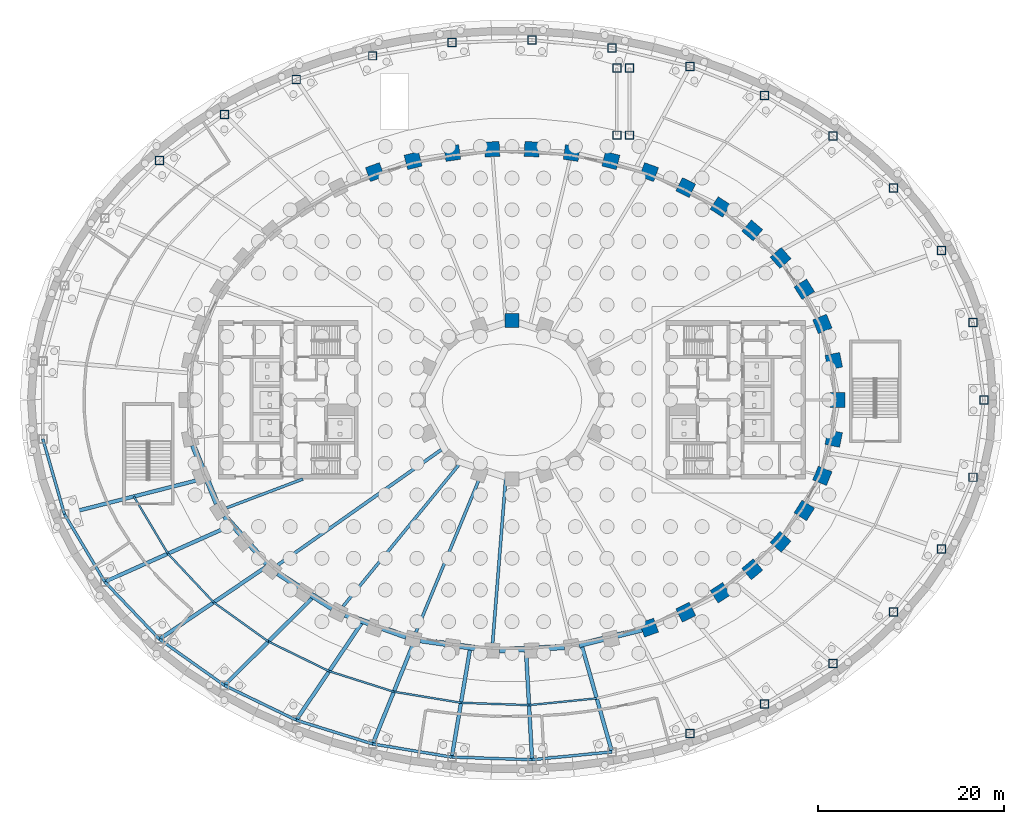
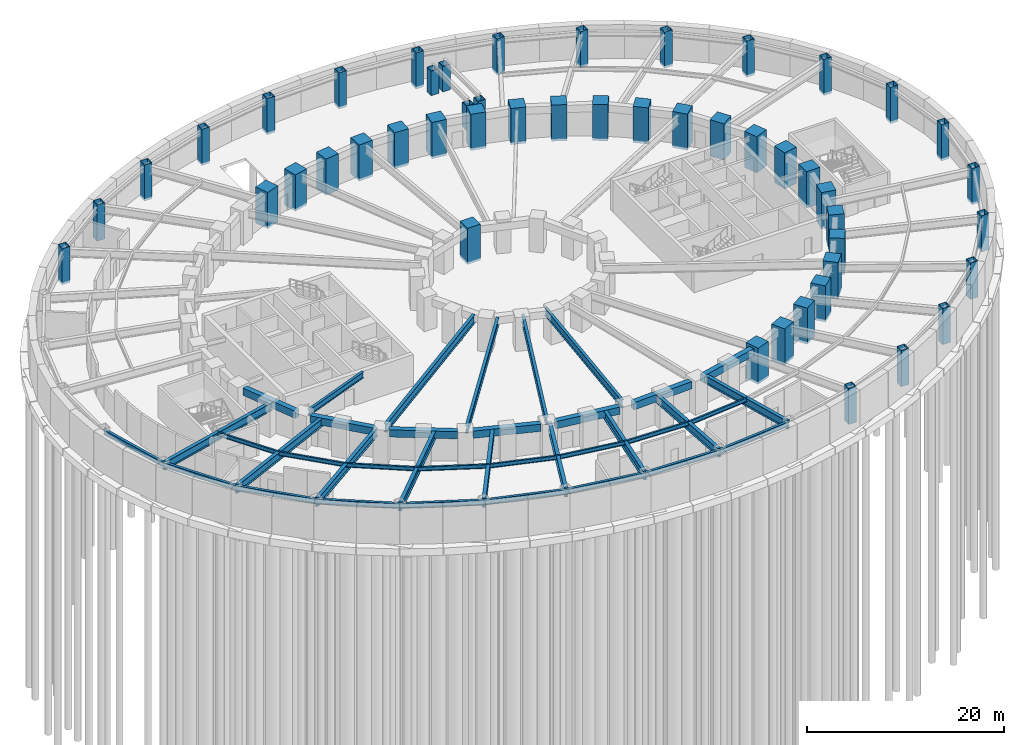
# One storey, part 6 of 19: 49 columns, 38 beams.
"""IFC4 building model written with IfcOpenShell, lengths in metres."""

from ifc_helpers import new_model, si_unit, direction, frame, origin, origin_2d, place, context, subcontext, project, spatial, rectangle, hollow_rectangle, i_section, extrude, material, material_profile, profile_set, type_object, element, save


model = new_model("IFC4")

# Units and contexts
model_context = context("Model", 3, precision=1e-05, world=origin(), true_north=direction((0.0, 1.0)))
body_context = subcontext(model_context, "Body", "Model", "MODEL_VIEW")
ifc_project = project(units=[si_unit("LENGTHUNIT", "METRE"), si_unit("AREAUNIT", "SQUARE_METRE"), si_unit("VOLUMEUNIT", "CUBIC_METRE"), si_unit("PLANEANGLEUNIT", "RADIAN"), si_unit("MASSUNIT", "GRAM", prefix="KILO")], contexts=[model_context])

# Site, building, storey
site_placement = place(None, origin())
site = spatial("IfcSite", under=ifc_project, at=site_placement, CompositionType="ELEMENT")
building_placement = place(site_placement, origin())
building = spatial("IfcBuilding", under=site, at=building_placement, Name="Noorbagh Ring Tower", CompositionType="ELEMENT")
storey_placement = place(building_placement, frame((0.0, 0.0, -8.39990234375)))
storey = spatial("IfcBuildingStorey", under=building, at=storey_placement, Name="B2", CompositionType="ELEMENT", Elevation=-8.39990234375)

# Columns
ifc_material_1 = material(Name="Steel S355", Category="steel")
ifc_material_profile_1 = material_profile(ifc_material_1, hollow_rectangle(XDim=0.89990234375, YDim=0.89990234375, WallThickness=0.044921875, at=origin_2d()), Name="BOX900x900x45")
ifc_profile_set_1 = profile_set([ifc_material_profile_1], Name="Steel S355")
column_type_1 = type_object("IfcColumnType", Name="GND-COL-BOX900x900x45", PredefinedType="COLUMN", material=ifc_profile_set_1)
for number, where, z_axis, x_axis, name in (
    (1, (50.646484375, 0.0, -0.300048828125), (0.0, 0.0, 1.0), (1.0, 0.0, 0.0), "B2/col/RP-01"),
    (2, (49.4609375, 8.304443359375, -0.300048828125), (0.0, 0.0, 1.0), (1.0, 0.0, 0.0), "B2/col/RP-02"),
    (3, (46.081298828125, 16.021240234375, -0.300048828125), (0.0, 0.0, 1.0), (1.0, 0.0, 0.0), "B2/col/RP-03"),
    (4, (40.927734375, 22.75, -0.300048828125), (0.0, 0.0, 1.0), (1.0, 0.0, 0.0), "B2/col/RP-04"),
    (5, (34.46484375, 28.306884765625, -0.300048828125), (0.0, 0.0, 1.0), (1.0, 0.0, 0.0), "B2/col/RP-05"),
    (6, (27.0869140625, 32.648193359375, -0.300048828125), (0.0, 0.0, 1.0), (1.0, 0.0, 0.0), "B2/col/RP-06"),
    (7, (19.0966796875, 35.791748046875, -0.300048828125), (0.0, 0.0, 1.0), (1.0, 0.0, 0.0), "B2/col/RP-07"),
    (8, (10.724609375, 37.771240234375, -0.300048828125), (0.0, 0.0, 1.0), (1.0, 0.0, 0.0), "B2/col/RP-08"),
    (9, (2.154541015625, 38.6142578125, -0.300048828125), (0.0, 0.0, 1.0), (1.0, 0.0, 0.0), "B2/col/RP-09"),
    (10, (-6.4541015625, 38.33349609375, -0.300048828125), (0.0, 0.0, 1.0), (1.0, 0.0, 0.0), "B2/col/RP-10"),
    (11, (-14.946044921875, 36.925048828125, -0.300048828125), (0.0, 0.0, 1.0), (1.0, 0.0, 0.0), "B2/col/RP-11"),
    (12, (-23.152587890625, 34.36767578125, -0.300048828125), (0.0, 0.0, 1.0), (1.0, 0.0, 0.0), "B2/col/RP-12"),
    (13, (-30.869384765625, 30.629150390625, -0.300048828125), (0.0, 0.0, 1.0), (1.0, 0.0, 0.0), "B2/col/RP-13"),
    (14, (-37.8330078125, 25.679931640625, -0.300048828125), (0.0, 0.0, 1.0), (1.0, 0.0, 0.0), "B2/col/RP-14"),
    (15, (19.0966796875, -35.791748046875, -0.300048828125), (0.0, 0.0, 1.0), (1.0, 0.0, 0.0), "B2/col/RP-28"),
    (16, (27.0869140625, -32.648193359375, -0.300048828125), (0.0, 0.0, 1.0), (1.0, 0.0, 0.0), "B2/col/RP-29"),
    (17, (34.46484375, -28.306884765625, -0.300048828125), (0.0, 0.0, 1.0), (1.0, 0.0, 0.0), "B2/col/RP-30"),
    (18, (40.927734375, -22.75, -0.300048828125), (0.0, 0.0, 1.0), (1.0, 0.0, 0.0), "B2/col/RP-31"),
    (19, (46.081298828125, -16.021240234375, -0.300048828125), (0.0, 0.0, 1.0), (1.0, 0.0, 0.0), "B2/col/RP-32"),
    (20, (49.4609375, -8.304443359375, -0.300048828125), (0.0, 0.0, 1.0), (1.0, 0.0, 0.0), "B2/col/RP-33"),
):
    element("IfcColumn", number, at=place(storey_placement, frame(where, z_axis=z_axis, x_axis=x_axis)), inside=storey, type_object=column_type_1, Name=name, PredefinedType="COLUMN", context=body_context, shape_type="SweptSolid", body=[
        extrude(hollow_rectangle(XDim=0.89990234375, YDim=0.89990234375, WallThickness=0.044921875, at=origin_2d()), origin(), (0.0, 0.0, 1.0), 4.5),
    ])
for number, where, z_axis, x_axis, name in (
    (21, (12.60009765625, 28.39990234375, 0.0), (0.0, 0.0, 1.0), (1.0, 0.0, 0.0), "B2/col/RPS-1"),
    (22, (12.60009765625, 35.60009765625, 0.0), (0.0, 0.0, 1.0), (1.0, 0.0, 0.0), "B2/col/RPS-2"),
):
    element("IfcColumn", number, at=place(storey_placement, frame(where, z_axis=z_axis, x_axis=x_axis)), inside=storey, type_object=column_type_1, Name=name, PredefinedType="COLUMN", context=body_context, shape_type="SweptSolid", body=[
        extrude(hollow_rectangle(XDim=0.89990234375, YDim=0.89990234375, WallThickness=0.044921875, at=origin_2d()), origin(), (0.0, 0.0, 1.0), 3.162353515625),
    ])
for number, where, z_axis, x_axis, name in (
    (23, (11.25, 28.39990234375, 0.0), (0.0, 0.0, 1.0), (1.0, 0.0, 0.0), "B2/col/RPS-3"),
    (24, (11.25, 35.60009765625, 0.0), (0.0, 0.0, 1.0), (1.0, 0.0, 0.0), "B2/col/RPS-4"),
):
    element("IfcColumn", number, at=place(storey_placement, frame(where, z_axis=z_axis, x_axis=x_axis)), inside=storey, type_object=column_type_1, Name=name, PredefinedType="COLUMN", context=body_context, shape_type="SweptSolid", body=[
        extrude(hollow_rectangle(XDim=0.89990234375, YDim=0.89990234375, WallThickness=0.044921875, at=origin_2d()), origin(), (0.0, 0.0, 1.0), 3.0498046875),
    ])
ifc_material_2 = material(Name="Concrete C70/85", Category="concrete")
ifc_material_profile_2 = material_profile(ifc_material_2, rectangle(XDim=1.60009765625, YDim=1.60009765625, at=origin_2d()), Name="RC1600x1600")
ifc_profile_set_2 = profile_set([ifc_material_profile_2], Name="Concrete C70/85")
column_type_2 = type_object("IfcColumnType", Name="STR-COL-RC1600x1600-C70-85", PredefinedType="COLUMN", material=ifc_profile_set_2)
for number, where, z_axis, x_axis, name in (
    (25, (34.944580078125, 0.0, -0.300048828125), (0.0, 0.0, 1.0), (0.0, 1.0, 0.0), "B2/col/R1-01"),
    (26, (34.52685546875, 4.150634765625, -0.300048828125), (0.0, 0.0, 1.0), (-0.19723040178, 0.9803571638, 0.0), "B2/col/R1-02"),
    (27, (33.30517578125, 8.1494140625, -0.300048828125), (0.0, 0.0, 1.0), (-0.378989499959, 0.925400971969, 0.0), "B2/col/R1-03"),
    (28, (31.364990234375, 11.87109375, -0.300048828125), (0.0, 0.0, 1.0), (-0.535190403059, 0.844731455833, 0.0), "B2/col/R1-04"),
    (29, (28.81884765625, 15.23046875, -0.300048828125), (0.0, 0.0, 1.0), (-0.662635642662, 0.748941923699, 0.0), "B2/col/R1-05"),
    (30, (25.78271484375, 18.180419921875, -0.300048828125), (0.0, 0.0, 1.0), (-0.763035199656, 0.646356932419, 0.0), "B2/col/R1-06"),
    (31, (22.362060546875, 20.699951171875, -0.300048828125), (0.0, 0.0, 1.0), (-0.840247639643, 0.542202825586, 0.0), "B2/col/R1-07"),
    (32, (18.646240234375, 22.785400390625, -0.300048828125), (0.0, 0.0, 1.0), (-0.898399080868, 0.439180021741, 0.0), "B2/col/R1-08"),
    (33, (14.70947265625, 24.44091796875, -0.300048828125), (0.0, 0.0, 1.0), (-0.941024726094, 0.338337797003, 0.0), "B2/col/R1-09"),
    (34, (10.61328125, 25.673583984375, -0.300048828125), (0.0, 0.0, 1.0), (-0.970829360981, 0.239771457553, 0.0), "B2/col/R1-10"),
    (35, (6.4091796875, 26.49072265625, -0.300048828125), (0.0, 0.0, 1.0), (-0.989713114048, 0.143066249975, 0.0), "B2/col/R1-11"),
    (36, (2.14306640625, 26.89794921875, -0.300048828125), (0.0, 0.0, 1.0), (-0.998868731212, 0.047552684538, 0.0), "B2/col/R1-12"),
    (37, (-2.14306640625, 26.89794921875, -0.300048828125), (0.0, 0.0, 1.0), (-0.998868731212, -0.047552684538, 0.0), "B2/col/R1-13"),
    (38, (-6.4091796875, 26.49072265625, -0.300048828125), (0.0, 0.0, 1.0), (-0.989713114048, -0.143066249975, 0.0), "B2/col/R1-14"),
    (39, (-10.61328125, 25.673583984375, -0.300048828125), (0.0, 0.0, 1.0), (-0.970829360981, -0.239771457553, 0.0), "B2/col/R1-15"),
    (40, (-14.70947265625, 24.44091796875, -0.300048828125), (0.0, 0.0, 1.0), (-0.941024726094, -0.338337797003, 0.0), "B2/col/R1-16"),
    (41, (14.70947265625, -24.44091796875, -0.300048828125), (0.0, 0.0, 1.0), (0.941024726094, 0.338337797003, 0.0), "B2/col/R1-39"),
    (42, (18.646240234375, -22.785400390625, -0.300048828125), (0.0, 0.0, 1.0), (0.898399080868, 0.439180021741, 0.0), "B2/col/R1-40"),
    (43, (22.362060546875, -20.699951171875, -0.300048828125), (0.0, 0.0, 1.0), (0.840247639643, 0.542202825586, 0.0), "B2/col/R1-41"),
    (44, (25.78271484375, -18.180419921875, -0.300048828125), (0.0, 0.0, 1.0), (0.763035199656, 0.646356932419, 0.0), "B2/col/R1-42"),
    (45, (28.81884765625, -15.23046875, -0.300048828125), (0.0, 0.0, 1.0), (0.662635642662, 0.748941923699, 0.0), "B2/col/R1-43"),
    (46, (31.364990234375, -11.87109375, -0.300048828125), (0.0, 0.0, 1.0), (0.535190403059, 0.844731455833, 0.0), "B2/col/R1-44"),
    (47, (33.30517578125, -8.1494140625, -0.300048828125), (0.0, 0.0, 1.0), (0.378989499959, 0.925400971969, 0.0), "B2/col/R1-45"),
    (48, (34.52685546875, -4.150634765625, -0.300048828125), (0.0, 0.0, 1.0), (0.19723040178, 0.9803571638, 0.0), "B2/col/R1-46"),
):
    element("IfcColumn", number, at=place(storey_placement, frame(where, z_axis=z_axis, x_axis=x_axis)), inside=storey, type_object=column_type_2, Name=name, PredefinedType="COLUMN", context=body_context, shape_type="SweptSolid", body=[
        extrude(rectangle(XDim=1.60009765625, YDim=1.60009765625, at=origin_2d()), origin(), (0.0, 0.0, 1.0), 4.5),
    ])
ifc_material_3 = material(Name="Concrete C70/85", Category="concrete")
ifc_material_profile_3 = material_profile(ifc_material_3, rectangle(XDim=1.5, YDim=1.5, at=origin_2d()), Name="RC1500x1500")
ifc_profile_set_3 = profile_set([ifc_material_profile_3], Name="Concrete C70/85")
column_type_3 = type_object("IfcColumnType", Name="STR-ICOL-RC1500x1500-C70-85", PredefinedType="COLUMN", material=ifc_profile_set_3)
column_placement = place(storey_placement, frame((0.0, 8.5029296875, -0.300048828125), z_axis=(0.0, 0.0, 1.0), x_axis=(-1.0, 0.0, 0.0)))
element("IfcColumn", 49, at=column_placement, inside=storey, type_object=column_type_3, Name="B2/col/IR2-W09", PredefinedType="COLUMN", context=body_context, shape_type="SweptSolid", body=[
    extrude(rectangle(XDim=1.5, YDim=1.5, at=origin_2d()), origin(), (0.0, 0.0, 1.0), 4.5),
])

# Beams
ifc_material_4 = material(Name="Steel S355", Category="steel")
ifc_material_profile_4 = material_profile(ifc_material_4, i_section(OverallWidth=0.300048828125, OverallDepth=0.60009765625, WebThickness=0.015380859375, FlangeThickness=0.030029296875, FilletRadius=0.027099609375, at=origin_2d()), Name="HEB600")
ifc_profile_set_4 = profile_set([ifc_material_profile_4], Name="Steel S355")
beam_type_1 = type_object("IfcBeamType", Name="GND-EDGE-BEAM-HEB600", PredefinedType="BEAM", material=ifc_profile_set_4)
beam_1_placement = place(storey_placement, frame((-50.34716796875, -4.191650390625, 3.599853515625), z_axis=(0.276646874617, -0.960971647222, 0.0), x_axis=(0.960971647222, 0.276646874617, 0.0)))
element("IfcBeam", 50, at=beam_1_placement, inside=storey, type_object=beam_type_1, Name="B2/bm/ERP-18", PredefinedType="BEAM", context=body_context, shape_type="SweptSolid", body=[
    extrude(i_section(OverallWidth=0.300048828125, OverallDepth=0.60009765625, WebThickness=0.015380859375, FlangeThickness=0.030029296875, FilletRadius=0.027099609375, at=origin_2d()), origin(), (0.0, 0.0, 1.0), 8.403076171875),
])
beam_2_placement = place(storey_placement, frame((-48.0224609375, -12.266845703125, 3.599853515625), z_axis=(0.511999358166, -0.858985830638, 0.0), x_axis=(0.858985830638, 0.511999358166, 0.0)))
element("IfcBeam", 51, at=beam_2_placement, inside=storey, type_object=beam_type_1, Name="B2/bm/ERP-19", PredefinedType="BEAM", context=body_context, shape_type="SweptSolid", body=[
    extrude(i_section(OverallWidth=0.300048828125, OverallDepth=0.60009765625, WebThickness=0.015380859375, FlangeThickness=0.030029296875, FilletRadius=0.027099609375, at=origin_2d()), origin(), (0.0, 0.0, 1.0), 8.449462890625),
])
beam_3_placement = place(storey_placement, frame((-43.6962890625, -19.52490234375, 3.599853515625), z_axis=(0.689738356688, -0.724058698804, 0.0), x_axis=(0.724058698804, 0.689738356688, 0.0)))
element("IfcBeam", 52, at=beam_3_placement, inside=storey, type_object=beam_type_1, Name="B2/bm/ERP-20", PredefinedType="BEAM", context=body_context, shape_type="SweptSolid", body=[
    extrude(i_section(OverallWidth=0.300048828125, OverallDepth=0.60009765625, WebThickness=0.015380859375, FlangeThickness=0.030029296875, FilletRadius=0.027099609375, at=origin_2d()), origin(), (0.0, 0.0, 1.0), 8.500732421875),
])
beam_4_placement = place(storey_placement, frame((-37.8330078125, -25.679931640625, 3.599853515625), z_axis=(0.815104059745, -0.579314570667, 0.0), x_axis=(0.579314570667, 0.815104059745, 0.0)))
element("IfcBeam", 53, at=beam_4_placement, inside=storey, type_object=beam_type_1, Name="B2/bm/ERP-21", PredefinedType="BEAM", context=body_context, shape_type="SweptSolid", body=[
    extrude(i_section(OverallWidth=0.300048828125, OverallDepth=0.60009765625, WebThickness=0.015380859375, FlangeThickness=0.030029296875, FilletRadius=0.027099609375, at=origin_2d()), origin(), (0.0, 0.0, 1.0), 8.543212890625),
])
beam_5_placement = place(storey_placement, frame((-30.869384765625, -30.629150390625, 3.599853515625), z_axis=(0.89994920641, -0.435994754421, 0.0), x_axis=(0.435994754421, 0.89994920641, 0.0)))
element("IfcBeam", 54, at=beam_5_placement, inside=storey, type_object=beam_type_1, Name="B2/bm/ERP-22", PredefinedType="BEAM", context=body_context, shape_type="SweptSolid", body=[
    extrude(i_section(OverallWidth=0.300048828125, OverallDepth=0.60009765625, WebThickness=0.015380859375, FlangeThickness=0.030029296875, FilletRadius=0.027099609375, at=origin_2d()), origin(), (0.0, 0.0, 1.0), 8.57470703125),
])
beam_6_placement = place(storey_placement, frame((-23.152587890625, -34.36767578125, 3.599853515625), z_axis=(0.954717204091, -0.297514806713, 0.0), x_axis=(0.297514806713, 0.954717204091, 0.0)))
element("IfcBeam", 55, at=beam_6_placement, inside=storey, type_object=beam_type_1, Name="B2/bm/ERP-23", PredefinedType="BEAM", context=body_context, shape_type="SweptSolid", body=[
    extrude(i_section(OverallWidth=0.300048828125, OverallDepth=0.60009765625, WebThickness=0.015380859375, FlangeThickness=0.030029296875, FilletRadius=0.027099609375, at=origin_2d()), origin(), (0.0, 0.0, 1.0), 8.595703125),
])
beam_7_placement = place(storey_placement, frame((-14.946044921875, -36.925048828125, 3.599853515625), z_axis=(0.986523163949, -0.163621658075, 0.0), x_axis=(0.163621658075, 0.986523163949, 0.0)))
element("IfcBeam", 56, at=beam_7_placement, inside=storey, type_object=beam_type_1, Name="B2/bm/ERP-24", PredefinedType="BEAM", context=body_context, shape_type="SweptSolid", body=[
    extrude(i_section(OverallWidth=0.300048828125, OverallDepth=0.60009765625, WebThickness=0.015380859375, FlangeThickness=0.030029296875, FilletRadius=0.027099609375, at=origin_2d()), origin(), (0.0, 0.0, 1.0), 8.60791015625),
])
beam_8_placement = place(storey_placement, frame((-6.4541015625, -38.33349609375, 3.599853515625), z_axis=(0.999468589483, -0.032596604688, 0.0), x_axis=(0.032596604688, 0.999468589483, 0.0)))
element("IfcBeam", 57, at=beam_8_placement, inside=storey, type_object=beam_type_1, Name="B2/bm/ERP-25", PredefinedType="BEAM", context=body_context, shape_type="SweptSolid", body=[
    extrude(i_section(OverallWidth=0.300048828125, OverallDepth=0.60009765625, WebThickness=0.015380859375, FlangeThickness=0.030029296875, FilletRadius=0.027099609375, at=origin_2d()), origin(), (0.0, 0.0, 1.0), 8.61328125),
])
beam_9_placement = place(storey_placement, frame((2.154541015625, -38.6142578125, 3.599853515625), z_axis=(0.9951967317, 0.097895174616, 0.0), x_axis=(-0.097895174616, 0.9951967317, 0.0)))
element("IfcBeam", 58, at=beam_9_placement, inside=storey, type_object=beam_type_1, Name="B2/bm/ERP-26", PredefinedType="BEAM", context=body_context, shape_type="SweptSolid", body=[
    extrude(i_section(OverallWidth=0.300048828125, OverallDepth=0.60009765625, WebThickness=0.015380859375, FlangeThickness=0.030029296875, FilletRadius=0.027099609375, at=origin_2d()), origin(), (0.0, 0.0, 1.0), 8.611328125),
])
ifc_material_5 = material(Name="Steel S355", Category="steel")
ifc_material_profile_5 = material_profile(ifc_material_5, i_section(OverallWidth=0.39990234375, OverallDepth=1.0, WebThickness=0.01611328125, FlangeThickness=0.0400390625, at=origin_2d()), Name="PG1000x400x16x40")
ifc_profile_set_5 = profile_set([ifc_material_profile_5], Name="Steel S355")
beam_type_2 = type_object("IfcBeamType", Name="GND-GIRDER-PG1000x400x16x40", PredefinedType="BEAM", material=ifc_profile_set_5)
beam_10_placement = place(storey_placement, frame((-48.0224609375, -12.266845703125, 3.39990234375), z_axis=(0.968889089752, 0.247495316642, 0.0), x_axis=(-0.247495316642, 0.968889089752, 0.0)))
element("IfcBeam", 59, at=beam_10_placement, inside=storey, type_object=beam_type_2, Name="B2/bm/GRP-19", PredefinedType="BEAM", context=body_context, shape_type="SweptSolid", body=[
    extrude(i_section(OverallWidth=0.39990234375, OverallDepth=1.0, WebThickness=0.01611328125, FlangeThickness=0.0400390625, at=origin_2d()), origin(), (0.0, 0.0, 1.0), 15.35986328125),
])
beam_11_placement = place(storey_placement, frame((-43.6962890625, -19.52490234375, 3.39990234375), z_axis=(0.91299879945, 0.4079622436, 0.0), x_axis=(-0.4079622436, 0.91299879945, 0.0)))
element("IfcBeam", 60, at=beam_11_placement, inside=storey, type_object=beam_type_2, Name="B2/bm/GRP-20", PredefinedType="BEAM", context=body_context, shape_type="SweptSolid", body=[
    extrude(i_section(OverallWidth=0.39990234375, OverallDepth=1.0, WebThickness=0.01611328125, FlangeThickness=0.0400390625, at=origin_2d()), origin(), (0.0, 0.0, 1.0), 14.8359375),
])
beam_12_placement = place(storey_placement, frame((-37.8330078125, -25.679931640625, 3.39990234375), z_axis=(0.82739656341, 0.561618132593, 0.0), x_axis=(-0.561618132593, 0.82739656341, 0.0)))
element("IfcBeam", 61, at=beam_12_placement, inside=storey, type_object=beam_type_2, Name="B2/bm/GRP-21", PredefinedType="BEAM", context=body_context, shape_type="SweptSolid", body=[
    extrude(i_section(OverallWidth=0.39990234375, OverallDepth=1.0, WebThickness=0.01611328125, FlangeThickness=0.0400390625, at=origin_2d()), origin(), (0.0, 0.0, 1.0), 14.06640625),
])
beam_13_placement = place(storey_placement, frame((-30.869384765625, -30.629150390625, 3.39990234375), z_axis=(0.70986613718, 0.704336615039, 0.0), x_axis=(-0.704336615039, 0.70986613718, 0.0)))
element("IfcBeam", 62, at=beam_13_placement, inside=storey, type_object=beam_type_2, Name="B2/bm/GRP-22", PredefinedType="BEAM", context=body_context, shape_type="SweptSolid", body=[
    extrude(i_section(OverallWidth=0.39990234375, OverallDepth=1.0, WebThickness=0.01611328125, FlangeThickness=0.0400390625, at=origin_2d()), origin(), (0.0, 0.0, 1.0), 13.333984375),
])
beam_14_placement = place(storey_placement, frame((-23.152587890625, -34.36767578125, 3.39990234375), z_axis=(0.558711358029, 0.829362175656, 0.0), x_axis=(-0.829362175656, 0.558711358029, 0.0)))
element("IfcBeam", 63, at=beam_14_placement, inside=storey, type_object=beam_type_2, Name="B2/bm/GRP-23", PredefinedType="BEAM", context=body_context, shape_type="SweptSolid", body=[
    extrude(i_section(OverallWidth=0.39990234375, OverallDepth=1.0, WebThickness=0.01611328125, FlangeThickness=0.0400390625, at=origin_2d()), origin(), (0.0, 0.0, 1.0), 12.6630859375),
])
beam_15_placement = place(storey_placement, frame((-14.946044921875, -36.925048828125, 3.39990234375), z_axis=(0.375201842514, 0.926943135998, 0.0), x_axis=(-0.926943135998, 0.375201842514, 0.0)))
element("IfcBeam", 64, at=beam_15_placement, inside=storey, type_object=beam_type_2, Name="B2/bm/GRP-24", PredefinedType="BEAM", context=body_context, shape_type="SweptSolid", body=[
    extrude(i_section(OverallWidth=0.39990234375, OverallDepth=1.0, WebThickness=0.01611328125, FlangeThickness=0.0400390625, at=origin_2d()), origin(), (0.0, 0.0, 1.0), 12.094970703125),
])
beam_16_placement = place(storey_placement, frame((-6.4541015625, -38.33349609375, 3.39990234375), z_axis=(0.166032765637, 0.986120236449, 0.0), x_axis=(-0.986120236449, 0.166032765637, 0.0)))
element("IfcBeam", 65, at=beam_16_placement, inside=storey, type_object=beam_type_2, Name="B2/bm/GRP-25", PredefinedType="BEAM", context=body_context, shape_type="SweptSolid", body=[
    extrude(i_section(OverallWidth=0.39990234375, OverallDepth=1.0, WebThickness=0.01611328125, FlangeThickness=0.0400390625, at=origin_2d()), origin(), (0.0, 0.0, 1.0), 11.82373046875),
])
beam_17_placement = place(storey_placement, frame((2.154541015625, -38.6142578125, 3.39990234375), z_axis=(-0.055716608816, 0.998446623261, 0.0), x_axis=(-0.998446623261, -0.055716608816, 0.0)))
element("IfcBeam", 66, at=beam_17_placement, inside=storey, type_object=beam_type_2, Name="B2/bm/GRP-26", PredefinedType="BEAM", context=body_context, shape_type="SweptSolid", body=[
    extrude(i_section(OverallWidth=0.39990234375, OverallDepth=1.0, WebThickness=0.01611328125, FlangeThickness=0.0400390625, at=origin_2d()), origin(), (0.0, 0.0, 1.0), 11.734619140625),
])
beam_18_placement = place(storey_placement, frame((10.724609375, -37.771240234375, 3.39990234375), z_axis=(-0.273130016452, 0.961977127645, 0.0), x_axis=(-0.961977127645, -0.273130016452, 0.0)))
element("IfcBeam", 67, at=beam_18_placement, inside=storey, type_object=beam_type_2, Name="B2/bm/GRP-27", PredefinedType="BEAM", context=body_context, shape_type="SweptSolid", body=[
    extrude(i_section(OverallWidth=0.39990234375, OverallDepth=1.0, WebThickness=0.01611328125, FlangeThickness=0.0400390625, at=origin_2d()), origin(), (0.0, 0.0, 1.0), 11.939208984375),
])
ifc_material_6 = material(Name="Steel S355", Category="steel")
ifc_material_profile_6 = material_profile(ifc_material_6, i_section(OverallWidth=0.199951171875, OverallDepth=0.5, WebThickness=0.01025390625, FlangeThickness=0.01611328125, FilletRadius=0.02099609375, at=origin_2d()), Name="IPE500")
ifc_profile_set_6 = profile_set([ifc_material_profile_6], Name="Steel S355")
beam_type_3 = type_object("IfcBeamType", Name="GND-MID-BEAM-IPE500", PredefinedType="JOIST", material=ifc_profile_set_6)
beam_19_placement = place(storey_placement, frame((-40.581298828125, -10.3662109375, 3.64990234375), z_axis=(0.512221226457, -0.858853546984, 0.0), x_axis=(0.858853546984, 0.512221226457, 0.0)))
element("IfcBeam", 68, at=beam_19_placement, inside=storey, type_object=beam_type_3, Name="B2/bm/MRP-19", PredefinedType="JOIST", context=body_context, shape_type="SweptSolid", body=[
    extrude(i_section(OverallWidth=0.199951171875, OverallDepth=0.5, WebThickness=0.01025390625, FlangeThickness=0.01611328125, FilletRadius=0.02099609375, at=origin_2d()), origin(), (0.0, 0.0, 1.0), 7.140380859375),
])
beam_20_placement = place(storey_placement, frame((-36.923828125, -16.498779296875, 3.64990234375), z_axis=(0.684360968268, -0.729143377609, 0.0), x_axis=(0.729143377609, 0.684360968268, 0.0)))
element("IfcBeam", 69, at=beam_20_placement, inside=storey, type_object=beam_type_3, Name="B2/bm/MRP-20", PredefinedType="JOIST", context=body_context, shape_type="SweptSolid", body=[
    extrude(i_section(OverallWidth=0.199951171875, OverallDepth=0.5, WebThickness=0.01025390625, FlangeThickness=0.01611328125, FilletRadius=0.02099609375, at=origin_2d()), origin(), (0.0, 0.0, 1.0), 7.174560546875),
])
beam_21_placement = place(storey_placement, frame((-32.013916015625, -21.72998046875, 3.64990234375), z_axis=(0.813381743113, -0.581730298308, 0.0), x_axis=(0.581730298308, 0.813381743113, 0.0)))
element("IfcBeam", 70, at=beam_21_placement, inside=storey, type_object=beam_type_3, Name="B2/bm/MRP-21", PredefinedType="JOIST", context=body_context, shape_type="SweptSolid", body=[
    extrude(i_section(OverallWidth=0.199951171875, OverallDepth=0.5, WebThickness=0.01025390625, FlangeThickness=0.01611328125, FilletRadius=0.02099609375, at=origin_2d()), origin(), (0.0, 0.0, 1.0), 7.2255859375),
])
beam_22_placement = place(storey_placement, frame((-26.13671875, -25.933349609375, 3.64990234375), z_axis=(0.898658812704, -0.438648308271, 0.0), x_axis=(0.438648308271, 0.898658812704, 0.0)))
element("IfcBeam", 71, at=beam_22_placement, inside=storey, type_object=beam_type_3, Name="B2/bm/MRP-22", PredefinedType="JOIST", context=body_context, shape_type="SweptSolid", body=[
    extrude(i_section(OverallWidth=0.199951171875, OverallDepth=0.5, WebThickness=0.01025390625, FlangeThickness=0.01611328125, FilletRadius=0.02099609375, at=origin_2d()), origin(), (0.0, 0.0, 1.0), 7.257080078125),
])
beam_23_placement = place(storey_placement, frame((-19.614990234375, -29.11669921875, 3.64990234375), z_axis=(0.9531202752, -0.302591706765, 0.0), x_axis=(0.302591706765, 0.9531202752, 0.0)))
element("IfcBeam", 72, at=beam_23_placement, inside=storey, type_object=beam_type_3, Name="B2/bm/MRP-23", PredefinedType="JOIST", context=body_context, shape_type="SweptSolid", body=[
    extrude(i_section(OverallWidth=0.199951171875, OverallDepth=0.5, WebThickness=0.01025390625, FlangeThickness=0.01611328125, FilletRadius=0.02099609375, at=origin_2d()), origin(), (0.0, 0.0, 1.0), 7.279296875),
])
beam_24_placement = place(storey_placement, frame((-12.677001953125, -31.3193359375, 3.64990234375), z_axis=(0.986756598534, -0.162207938309, 0.0), x_axis=(0.162207938309, 0.986756598534, 0.0)))
element("IfcBeam", 73, at=beam_24_placement, inside=storey, type_object=beam_type_3, Name="B2/bm/MRP-24", PredefinedType="JOIST", context=body_context, shape_type="SweptSolid", body=[
    extrude(i_section(OverallWidth=0.199951171875, OverallDepth=0.5, WebThickness=0.01025390625, FlangeThickness=0.01611328125, FilletRadius=0.02099609375, at=origin_2d()), origin(), (0.0, 0.0, 1.0), 7.30126953125),
])
beam_25_placement = place(storey_placement, frame((-5.472412109375, -32.503662109375, 3.64990234375), z_axis=(0.999402620435, -0.034560125398, 0.0), x_axis=(0.034560125398, 0.999402620435, 0.0)))
element("IfcBeam", 74, at=beam_25_placement, inside=storey, type_object=beam_type_3, Name="B2/bm/MRP-25", PredefinedType="JOIST", context=body_context, shape_type="SweptSolid", body=[
    extrude(i_section(OverallWidth=0.199951171875, OverallDepth=0.5, WebThickness=0.01025390625, FlangeThickness=0.01611328125, FilletRadius=0.02099609375, at=origin_2d()), origin(), (0.0, 0.0, 1.0), 7.304443359375),
])
beam_26_placement = place(storey_placement, frame((1.82763671875, -32.756103515625, 3.64990234375), z_axis=(0.99502493545, 0.099626190493, 0.0), x_axis=(-0.099626190493, 0.99502493545, 0.0)))
element("IfcBeam", 75, at=beam_26_placement, inside=storey, type_object=beam_type_3, Name="B2/bm/MRP-26", PredefinedType="JOIST", context=body_context, shape_type="SweptSolid", body=[
    extrude(i_section(OverallWidth=0.199951171875, OverallDepth=0.5, WebThickness=0.01025390625, FlangeThickness=0.01611328125, FilletRadius=0.02099609375, at=origin_2d()), origin(), (0.0, 0.0, 1.0), 7.302734375),
])
ifc_material_7 = material(Name="Steel S355", Category="steel")
ifc_material_profile_7 = material_profile(ifc_material_7, i_section(OverallWidth=0.35009765625, OverallDepth=1.050048828125, WebThickness=0.01806640625, FlangeThickness=0.033935546875, at=origin_2d()), Name="PG1050x350x18x34")
ifc_profile_set_7 = profile_set([ifc_material_profile_7], Name="Steel S355")
beam_type_4 = type_object("IfcBeamType", Name="STR-RAD-PG1050x350x18x34", PredefinedType="BEAM", material=ifc_profile_set_7)
beam_27_placement = place(storey_placement, frame((-25.12353515625, -17.715576171875, 3.375), z_axis=(0.817253259362, 0.576278673961, 0.0), x_axis=(-0.576278673961, 0.817253259362, 0.0)))
element("IfcBeam", 76, at=beam_27_placement, inside=storey, type_object=beam_type_4, Name="B2/bm/RD29", PredefinedType="BEAM", context=body_context, shape_type="SweptSolid", body=[
    extrude(i_section(OverallWidth=0.35009765625, OverallDepth=1.050048828125, WebThickness=0.01806640625, FlangeThickness=0.033935546875, at=origin_2d()), origin(), (0.0, 0.0, 1.0), 21.471435546875),
])
ifc_material_8 = material(Name="Steel S355", Category="steel")
ifc_material_profile_8 = material_profile(ifc_material_8, i_section(OverallWidth=0.300048828125, OverallDepth=0.75, WebThickness=0.013916015625, FlangeThickness=0.02587890625, at=origin_2d()), Name="PG750x300x14x26")
ifc_profile_set_8 = profile_set([ifc_material_profile_8], Name="Steel S355")
beam_type_5 = type_object("IfcBeamType", Name="STR-RAD-PG750x300x14x26", PredefinedType="BEAM", material=ifc_profile_set_8)
beam_28_placement = place(storey_placement, frame((-30.619873046875, -11.5888671875, 3.52490234375), z_axis=(0.935258038122, 0.353966668102, 0.0), x_axis=(-0.353966668102, 0.935258038122, 0.0)))
element("IfcBeam", 77, at=beam_28_placement, inside=storey, type_object=beam_type_5, Name="B2/bm/RD27", PredefinedType="BEAM", context=body_context, shape_type="SweptSolid", body=[
    extrude(i_section(OverallWidth=0.300048828125, OverallDepth=0.75, WebThickness=0.013916015625, FlangeThickness=0.02587890625, at=origin_2d()), origin(), (0.0, 0.0, 1.0), 8.746337890625),
])
ifc_material_9 = material(Name="Steel S355", Category="steel")
ifc_material_profile_9 = material_profile(ifc_material_9, i_section(OverallWidth=0.320068359375, OverallDepth=0.949951171875, WebThickness=0.01611328125, FlangeThickness=0.030029296875, at=origin_2d()), Name="PG950x320x16x30")
ifc_profile_set_9 = profile_set([ifc_material_profile_9], Name="Steel S355")
beam_type_6 = type_object("IfcBeamType", Name="STR-RAD-PG950x320x16x30", PredefinedType="BEAM", material=ifc_profile_set_9)
beam_29_placement = place(storey_placement, frame((-18.138427734375, -22.164794921875, 3.4248046875), z_axis=(0.633308995725, 0.773899034715, 0.0), x_axis=(-0.773899034715, 0.633308995725, 0.0)))
element("IfcBeam", 78, at=beam_29_placement, inside=storey, type_object=beam_type_6, Name="B2/bm/RD31", PredefinedType="BEAM", context=body_context, shape_type="SweptSolid", body=[
    extrude(i_section(OverallWidth=0.320068359375, OverallDepth=0.949951171875, WebThickness=0.01611328125, FlangeThickness=0.030029296875, at=origin_2d()), origin(), (0.0, 0.0, 1.0), 19.603759765625),
])
beam_30_placement = place(storey_placement, frame((-10.311767578125, -24.9443359375, 3.4248046875), z_axis=(0.382034392842, 0.924148106467, 0.0), x_axis=(-0.924148106467, 0.382034392842, 0.0)))
element("IfcBeam", 79, at=beam_30_placement, inside=storey, type_object=beam_type_6, Name="B2/bm/RD33", PredefinedType="BEAM", context=body_context, shape_type="SweptSolid", body=[
    extrude(i_section(OverallWidth=0.320068359375, OverallDepth=0.949951171875, WebThickness=0.01611328125, FlangeThickness=0.030029296875, at=origin_2d()), origin(), (0.0, 0.0, 1.0), 18.548583984375),
])
beam_31_placement = place(storey_placement, frame((-2.081298828125, -26.1201171875, 3.4248046875), z_axis=(0.079425808882, 0.996840780107, 0.0), x_axis=(-0.996840780107, 0.079425808882, 0.0)))
element("IfcBeam", 80, at=beam_31_placement, inside=storey, type_object=beam_type_6, Name="B2/bm/RD35", PredefinedType="BEAM", context=body_context, shape_type="SweptSolid", body=[
    extrude(i_section(OverallWidth=0.320068359375, OverallDepth=0.949951171875, WebThickness=0.01611328125, FlangeThickness=0.030029296875, at=origin_2d()), origin(), (0.0, 0.0, 1.0), 18.227783203125),
])
ifc_material_10 = material(Name="Concrete C40/50", Category="concrete")
ifc_material_profile_10 = material_profile(ifc_material_10, rectangle(XDim=0.60009765625, YDim=0.89990234375, at=origin_2d()), Name="RC600x900")
ifc_profile_set_10 = profile_set([ifc_material_profile_10], Name="Concrete C40/50")
beam_type_7 = type_object("IfcBeamType", Name="STR-SB-RC600x900-C40-50", PredefinedType="BEAM", material=ifc_profile_set_10)
beam_32_placement = place(storey_placement, frame((-34.2255859375, -4.885986328125, 3.449951171875), z_axis=(0.378998692222, -0.925397207308, 0.0), x_axis=(0.925397207308, 0.378998692222, 0.0)))
element("IfcBeam", 81, at=beam_32_placement, inside=storey, type_object=beam_type_7, Name="B2/bm/SP25", PredefinedType="BEAM", context=body_context, shape_type="SweptSolid", body=[
    extrude(rectangle(XDim=0.60009765625, YDim=0.89990234375, at=origin_2d()), origin(), (0.0, 0.0, 1.0), 6.75537109375),
])
beam_33_placement = place(storey_placement, frame((-30.84130859375, -12.462890625, 3.449951171875), z_axis=(0.662635440904, -0.748942102206, 0.0), x_axis=(0.748942102206, 0.662635440904, 0.0)))
element("IfcBeam", 82, at=beam_33_placement, inside=storey, type_object=beam_type_7, Name="B2/bm/SP27", PredefinedType="BEAM", context=body_context, shape_type="SweptSolid", body=[
    extrude(rectangle(XDim=0.60009765625, YDim=0.89990234375, at=origin_2d()), origin(), (0.0, 0.0, 1.0), 6.845703125),
])
beam_34_placement = place(storey_placement, frame((-25.12158203125, -18.60693359375, 3.449951171875), z_axis=(0.840249989986, -0.542199183261, 0.0), x_axis=(0.542199183261, 0.840249989986, 0.0)))
element("IfcBeam", 83, at=beam_34_placement, inside=storey, type_object=beam_type_7, Name="B2/bm/SP29", PredefinedType="BEAM", context=body_context, shape_type="SweptSolid", body=[
    extrude(rectangle(XDim=0.60009765625, YDim=0.89990234375, at=origin_2d()), origin(), (0.0, 0.0, 1.0), 6.9208984375),
])
beam_35_placement = place(storey_placement, frame((-17.90771484375, -23.051025390625, 3.449951171875), z_axis=(0.941030272182, -0.338322371175, 0.0), x_axis=(0.338322371175, 0.941030272182, 0.0)))
element("IfcBeam", 84, at=beam_35_placement, inside=storey, type_object=beam_type_7, Name="B2/bm/SP31", PredefinedType="BEAM", context=body_context, shape_type="SweptSolid", body=[
    extrude(rectangle(XDim=0.60009765625, YDim=0.89990234375, at=origin_2d()), origin(), (0.0, 0.0, 1.0), 6.96728515625),
])
beam_36_placement = place(storey_placement, frame((-9.83740234375, -25.785888671875, 3.449951171875), z_axis=(0.989714845194, -0.143054273623, 0.0), x_axis=(0.143054273623, 0.989714845194, 0.0)))
element("IfcBeam", 85, at=beam_36_placement, inside=storey, type_object=beam_type_7, Name="B2/bm/SP33", PredefinedType="BEAM", context=body_context, shape_type="SweptSolid", body=[
    extrude(rectangle(XDim=0.60009765625, YDim=0.89990234375, at=origin_2d()), origin(), (0.0, 0.0, 1.0), 6.990234375),
])
beam_37_placement = place(storey_placement, frame((-1.3603515625, -26.86083984375, 3.449951171875), z_axis=(0.998867742854, 0.047573440964, 0.0), x_axis=(-0.047573440964, 0.998867742854, 0.0)))
element("IfcBeam", 86, at=beam_37_placement, inside=storey, type_object=beam_type_7, Name="B2/bm/SP35", PredefinedType="BEAM", context=body_context, shape_type="SweptSolid", body=[
    extrude(rectangle(XDim=0.60009765625, YDim=0.89990234375, at=origin_2d()), origin(), (0.0, 0.0, 1.0), 6.99462890625),
])
beam_38_placement = place(storey_placement, frame((7.170166015625, -26.302978515625, 3.449951171875), z_axis=(0.970827667704, 0.239778313491, 0.0), x_axis=(-0.239778313491, 0.970827667704, 0.0)))
element("IfcBeam", 87, at=beam_38_placement, inside=storey, type_object=beam_type_7, Name="B2/bm/SP37", PredefinedType="BEAM", context=body_context, shape_type="SweptSolid", body=[
    extrude(rectangle(XDim=0.60009765625, YDim=0.89990234375, at=origin_2d()), origin(), (0.0, 0.0, 1.0), 6.981689453125),
])

save(model, "model.ifc")
